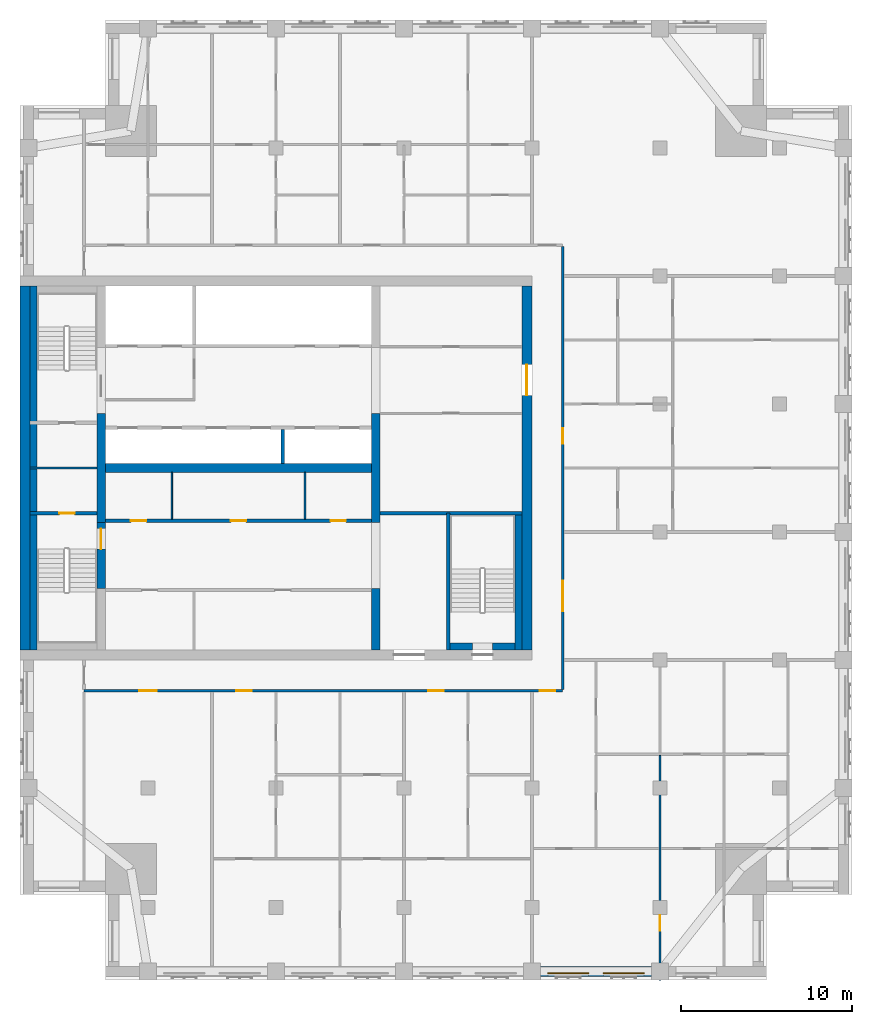
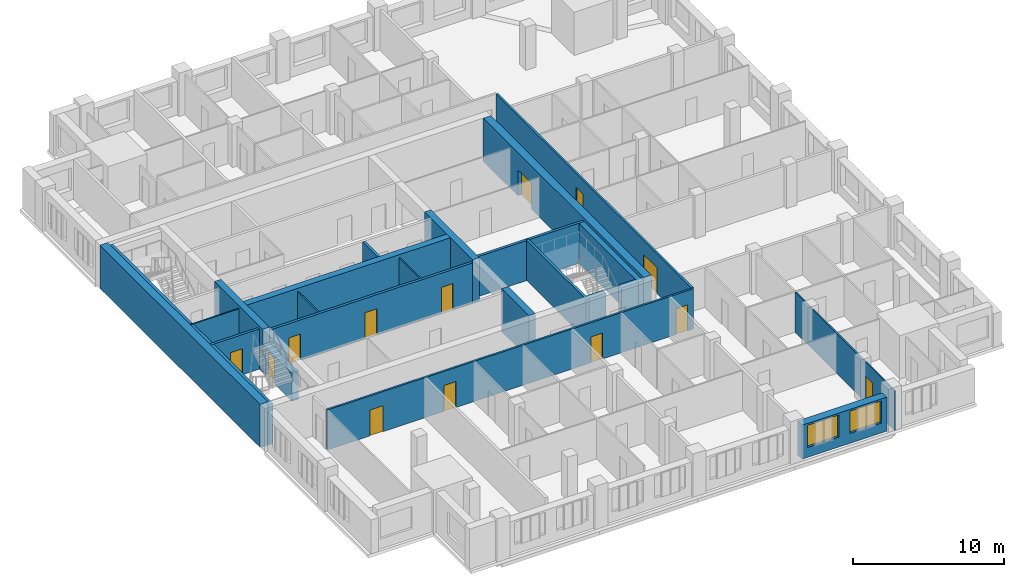
# One storey, part 4 of 11: 23 walls, 13 doors, 2 windows, 15 openings.
"""IFC4 building model written with IfcOpenShell, lengths in metres."""

import ifcopenshell
import ifcopenshell.guid

model = None  # the IFC model being written
_history = None  # IfcOwnerHistory: only IFC2X3 demands one
_inside = {}  # id of a spatial element -> (the spatial element, [elements in it])
_under = {}  # id of a project, library or spatial element -> (it, [spatial elements below it])
_declared = {}  # id of a project -> (the project, [libraries it declares])
_typed = {}  # id of a type object -> (the type object, [elements of that type])
_made_of = {}  # id of a material, layer set ... -> (it, [elements and type objects made of it])


def new_model(schema):
    """Start an empty IFC model of exactly this schema.

    Asked for "IFC4X3", IfcOpenShell would pick the latest addendum, in which some entities
    have other attributes; the version numbers below select the first issue.
    IFC2X3 requires an IfcOwnerHistory on every rooted entity: one is made here for all.
    """
    global model, _history
    if schema == "IFC4X3":
        model = ifcopenshell.file(schema_version=(4, 3, 0, 0))
    else:
        model = ifcopenshell.file(schema=schema)
    _inside.clear()
    _under.clear()
    _declared.clear()
    _typed.clear()
    _made_of.clear()
    _history = None
    if model.schema == "IFC2X3":
        org = make("IfcOrganization", Name="unknown")
        user = make(
            "IfcPersonAndOrganization",
            ThePerson=make("IfcPerson", FamilyName="unknown"),
            TheOrganization=org,
        )
        app = make(
            "IfcApplication",
            ApplicationDeveloper=org,
            Version="unknown",
            ApplicationFullName="unknown",
            ApplicationIdentifier="unknown",
        )
        _history = make(
            "IfcOwnerHistory",
            OwningUser=user,
            OwningApplication=app,
            ChangeAction="ADDED",
            CreationDate=0,
        )
    return model


def make(cls, **values):
    """One entity of the class cls with the attributes given. An attribute that is None is left unset."""
    return model.create_entity(
        cls, **{name: value for name, value in values.items() if value is not None}
    )


def rooted(cls, **values):
    """An entity with a GlobalId (a new one), such as an element, a storey or a relation."""
    return make(cls, GlobalId=ifcopenshell.guid.new(), OwnerHistory=_history, **values)


def si_unit(unit_type, name, prefix=None):
    """IfcSIUnit, for example si_unit("LENGTHUNIT", "METRE", prefix="MILLI")."""
    return make("IfcSIUnit", UnitType=unit_type, Prefix=prefix, Name=name)


def assignment(units):
    """IfcUnitAssignment: the units of a project."""
    return None if units is None else make("IfcUnitAssignment", Units=units)


def point(xyz):
    """IfcCartesianPoint."""
    return None if xyz is None else make("IfcCartesianPoint", Coordinates=xyz)


def direction(xyz):
    """IfcDirection."""
    return None if xyz is None else make("IfcDirection", DirectionRatios=xyz)


def frame(location, z_axis=None, x_axis=None):
    """IfcAxis2Placement3D, a coordinate frame: its origin and axes. An axis left out is left unset."""
    return make(
        "IfcAxis2Placement3D",
        Location=point(location),
        Axis=direction(z_axis),
        RefDirection=direction(x_axis),
    )


def frame_2d(location, x_axis=None):
    """IfcAxis2Placement2D, a coordinate frame in the plane: its origin and x axis."""
    return make(
        "IfcAxis2Placement2D", Location=point(location), RefDirection=direction(x_axis)
    )


def origin():
    """The frame at (0, 0, 0) with its axes left unset."""
    return frame((0.0, 0.0, 0.0))


def place(relative_to, where):
    """IfcLocalPlacement: puts the frame where relative to a parent placement (None: the world)."""
    return make(
        "IfcLocalPlacement", PlacementRelTo=relative_to, RelativePlacement=where
    )


def context(
    kind, dimensions, precision=None, world=None, true_north=None, identifier=None
):
    """IfcGeometricRepresentationContext, for example the 3D "Model" context."""
    return make(
        "IfcGeometricRepresentationContext",
        ContextIdentifier=identifier,
        ContextType=kind,
        CoordinateSpaceDimension=dimensions,
        Precision=precision,
        WorldCoordinateSystem=world,
        TrueNorth=true_north,
    )


def subcontext(parent, identifier, kind, view, scale=None):
    """IfcGeometricRepresentationSubContext, for example "Body" below "Model"."""
    return make(
        "IfcGeometricRepresentationSubContext",
        ContextIdentifier=identifier,
        ContextType=kind,
        ParentContext=parent,
        TargetScale=scale,
        TargetView=view,
    )


def project(units=None, contexts=None):
    """IfcProject with its units and contexts."""
    return rooted(
        "IfcProject",
        Name="project",
        RepresentationContexts=contexts,
        UnitsInContext=assignment(units),
    )


def spatial(cls, under=None, at=None, **own):
    """A site, building, storey or space (cls), placed at a placement, below another one or the project."""
    s = rooted(cls, ObjectPlacement=at, **own)
    if under is not None:
        _under.setdefault(under.id(), (under, []))[1].append(s)
    return s


def profile(cls, at=None, kind="AREA", **sizes):
    """A parametric profile (cls). Its sizes go by their IFC names, for example OverallWidth=200.0."""
    return make(cls, ProfileType=kind, Position=at, **sizes)


def rectangle(**sizes):
    """IfcRectangleProfileDef."""
    return profile("IfcRectangleProfileDef", **sizes)


def extrude(swept, where, along, depth):
    """IfcExtrudedAreaSolid: the profile swept, set in the frame where, extruded along a direction by depth."""
    return make(
        "IfcExtrudedAreaSolid",
        SweptArea=swept,
        Position=where,
        ExtrudedDirection=direction(along),
        Depth=depth,
    )


def shape(context_of_items, identifier, shape_type, items):
    """IfcShapeRepresentation: the items that make up one representation, for example the "Body"."""
    return make(
        "IfcShapeRepresentation",
        ContextOfItems=context_of_items,
        RepresentationIdentifier=identifier,
        RepresentationType=shape_type,
        Items=items,
    )


def material(Name=None, Category=None):
    """IfcMaterial."""
    return make("IfcMaterial", Name=Name, Category=Category)


def layer(
    of_material, thickness, ventilated=None, Name=None, Category=None, Priority=None
):
    """IfcMaterialLayer: one layer of a wall or slab, of a material (None: an air gap)."""
    return make(
        "IfcMaterialLayer",
        Material=of_material,
        LayerThickness=thickness,
        IsVentilated=ventilated,
        Name=Name,
        Category=Category,
        Priority=Priority,
    )


def layer_set(layers, Name=None):
    """IfcMaterialLayerSet."""
    return make("IfcMaterialLayerSet", MaterialLayers=layers, LayerSetName=Name)


def made_of(thing, what):
    """Note that an element or type object is made of a material, layer set ...; save() writes the relation."""
    if what is not None:
        _made_of.setdefault(what.id(), (what, []))[1].append(thing)
    return thing


def type_object(cls, material=None, **own):
    """A type object (cls), such as IfcWallType, which elements share."""
    return made_of(rooted(cls, **own), material)


def element(
    cls,
    number,
    at=None,
    inside=None,
    cuts=None,
    type_object=None,
    material=None,
    context=None,
    identifier="Body",
    shape_type=None,
    held_by="IfcProductDefinitionShape",
    body=None,
    shapes=None,
    **own,
):
    """One element of the class cls, such as IfcWall. Its Tag is "e" and its number.

    at: its placement. inside: the storey or other place that contains it. cuts: it is an
    opening in that element (IfcRelVoidsElement). A single representation is given by context,
    identifier, shape_type and body (its items); several are given by shapes. held_by: the class
    of the entity that holds the representations. save() writes the other relations.
    """
    e = rooted(cls, Tag="e%d" % number, ObjectPlacement=at, **own)
    if body is not None:
        shapes = [shape(context, identifier, shape_type, body)]
    if shapes is not None:
        e.Representation = make(held_by, Representations=shapes)
    if inside is not None:
        _inside.setdefault(inside.id(), (inside, []))[1].append(e)
    if cuts is not None:
        rooted(
            "IfcRelVoidsElement", RelatingBuildingElement=cuts, RelatedOpeningElement=e
        )
    if type_object is not None:
        _typed.setdefault(type_object.id(), (type_object, []))[1].append(e)
    return made_of(e, material)


def fill(opening, filler):
    """IfcRelFillsElement: the door or window that sits in an opening."""
    return rooted(
        "IfcRelFillsElement",
        RelatingOpeningElement=opening,
        RelatedBuildingElement=filler,
    )


def aggregate(whole, parts):
    """IfcRelAggregates: a whole, such as a stair, and the parts it consists of."""
    return rooted("IfcRelAggregates", RelatingObject=whole, RelatedObjects=parts)


def save(model, path):
    """Write the relations noted so far, then the file.

    IfcRelAggregates (storeys below a building ...), IfcRelContainedInSpatialStructure (elements
    in a storey), IfcRelDefinesByType, IfcRelAssociatesMaterial and IfcRelDeclares: one each for
    every whole, place, type object, material and project.
    """
    for whole, parts in _under.values():
        aggregate(whole, parts)
    for where, things in _inside.values():
        rooted(
            "IfcRelContainedInSpatialStructure",
            RelatedElements=things,
            RelatingStructure=where,
        )
    for kind, things in _typed.values():
        rooted("IfcRelDefinesByType", RelatedObjects=things, RelatingType=kind)
    for what, things in _made_of.values():
        rooted("IfcRelAssociatesMaterial", RelatedObjects=things, RelatingMaterial=what)
    for by, libraries in _declared.values():
        rooted("IfcRelDeclares", RelatingContext=by, RelatedDefinitions=libraries)
    model.write(path)


model = new_model("IFC4")

# Units and contexts
model_context = context("Model", 3, precision=1e-05, world=origin(), true_north=direction((0.0, 1.0)))
body_context = subcontext(model_context, "Body", "Model", "MODEL_VIEW")
ifc_project = project(units=[si_unit("LENGTHUNIT", "METRE"), si_unit("AREAUNIT", "SQUARE_METRE"), si_unit("VOLUMEUNIT", "CUBIC_METRE"), si_unit("PLANEANGLEUNIT", "RADIAN"), si_unit("MASSUNIT", "GRAM", prefix="KILO")], contexts=[model_context])

# Site, building, storey
site_placement = place(None, origin())
site = spatial("IfcSite", under=ifc_project, at=site_placement, CompositionType="ELEMENT")
building_placement = place(site_placement, origin())
building = spatial("IfcBuilding", under=site, at=building_placement, Name="Tamorin Gate", CompositionType="ELEMENT")
storey_placement = place(building_placement, frame((0.0, 0.0, 247.699951171875)))
storey = spatial("IfcBuildingStorey", under=building, at=storey_placement, Name="L62", CompositionType="ELEMENT", Elevation=247.699951171875)

# Wall, openings, windows
ifc_material_1 = material(Name="Precast concrete C40/50", Category="concrete")
ifc_layer_1 = layer(ifc_material_1, 0.60009765625)
ifc_layer_set_1 = layer_set([ifc_layer_1], Name="Precast concrete C40/50")
wall_type_1 = type_object("IfcWallType", Name="Board-marked concrete facade panel 600", PredefinedType="SOLIDWALL", material=ifc_layer_set_1)
wall_1_placement = place(storey_placement, frame((60.5, 41.75, 0.0), z_axis=(0.0, 0.0, 1.0), x_axis=(1.0, 0.0, 0.0)))
wall_1 = element("IfcWall", 1, at=wall_1_placement, inside=storey, type_object=wall_type_1, Name="Facade panel", PredefinedType="SOLIDWALL", context=body_context, shape_type="SweptSolid", body=[
    extrude(rectangle(XDim=6.5, YDim=0.60009765625, at=frame_2d((3.25, 0.0))), origin(), (0.0, 0.0, 1.0), 2.75),
])
opening_1_placement = place(wall_1_placement, frame((0.425048828125, 0.0, 0.800048828125)))
opening_1 = element("IfcOpeningElement", 2, at=opening_1_placement, cuts=wall_1, Name="Opening WN1", PredefinedType="OPENING", context=body_context, shape_type="SweptSolid", body=[
    extrude(rectangle(XDim=2.39990234375, YDim=1.800048828125, at=frame_2d((1.199951171875, 0.89990234375))), frame((0.0, 0.31005859375, 0.0), z_axis=(0.0, -1.0, 0.0), x_axis=(1.0, 0.0, 0.0)), (0.0, 0.0, 1.0), 0.6201171875),
])
opening_2_placement = place(wall_1_placement, frame((3.675048828125, 0.0, 0.800048828125)))
opening_2 = element("IfcOpeningElement", 3, at=opening_2_placement, cuts=wall_1, Name="Opening WN1", PredefinedType="OPENING", context=body_context, shape_type="SweptSolid", body=[
    extrude(rectangle(XDim=2.39990234375, YDim=1.800048828125, at=frame_2d((1.199951171875, 0.89990234375))), frame((0.0, 0.31005859375, 0.0), z_axis=(0.0, -1.0, 0.0), x_axis=(1.0, 0.0, 0.0)), (0.0, 0.0, 1.0), 0.6201171875),
])
ifc_material_2 = material(Name="Clear glass in aluminium frame", Category="aluminium")
window_type = type_object("IfcWindowType", Name="Deep-set window 2400x1800", PartitioningType="SINGLE_PANEL", PredefinedType="WINDOW", material=ifc_material_2)
window_1_placement = place(opening_1_placement, origin())
window_1 = element("IfcWindow", 4, at=window_1_placement, inside=storey, type_object=window_type, Name="Deep-set window", OverallHeight=1.800048828125, OverallWidth=2.39990234375, PartitioningType="SINGLE_PANEL", PredefinedType="WINDOW", context=body_context, shape_type="SweptSolid", body=[
    extrude(rectangle(XDim=2.39990234375, YDim=1.800048828125, at=frame_2d((1.199951171875, 0.89990234375))), frame((0.0, -0.070068359375, 0.0), z_axis=(0.0, -1.0, 0.0), x_axis=(1.0, 0.0, 0.0)), (0.0, 0.0, 1.0), 0.06005859375),
])
fill(opening_1, window_1)
window_2_placement = place(opening_2_placement, origin())
window_2 = element("IfcWindow", 5, at=window_2_placement, inside=storey, type_object=window_type, Name="Deep-set window", OverallHeight=1.800048828125, OverallWidth=2.39990234375, PartitioningType="SINGLE_PANEL", PredefinedType="WINDOW", context=body_context, shape_type="SweptSolid", body=[
    extrude(rectangle(XDim=2.39990234375, YDim=1.800048828125, at=frame_2d((1.199951171875, 0.89990234375))), frame((0.0, -0.070068359375, 0.0), z_axis=(0.0, -1.0, 0.0), x_axis=(1.0, 0.0, 0.0)), (0.0, 0.0, 1.0), 0.06005859375),
])
fill(opening_2, window_2)

# Wall, openings, doors
ifc_material_3 = material(Name="Gypsum board partition")
ifc_layer_2 = layer(ifc_material_3, 0.14990234375)
ifc_layer_set_2 = layer_set([ifc_layer_2], Name="Corridor wall 150")
wall_type_2 = type_object("IfcWallType", Name="Corridor wall 150", PredefinedType="PARTITIONING", material=ifc_layer_set_2)
wall_2_placement = place(storey_placement, frame((33.75, 58.199951171875, 0.0), z_axis=(0.0, 0.0, 1.0), x_axis=(1.0, 0.0, 0.0)))
wall_2 = element("IfcWall", 6, at=wall_2_placement, inside=storey, type_object=wall_type_2, Name="Corridor wall 150", PredefinedType="PARTITIONING", context=body_context, shape_type="SweptSolid", body=[
    extrude(rectangle(XDim=28.050048828125, YDim=0.14990234375, at=frame_2d((14.02490234375, 0.0))), origin(), (0.0, 0.0, 1.0), 3.25),
])
opening_3_placement = place(wall_2_placement, frame((3.25, 0.0, 0.0)))
opening_3 = element("IfcOpeningElement", 7, at=opening_3_placement, cuts=wall_2, Name="Opening DR8002", PredefinedType="OPENING", context=body_context, shape_type="SweptSolid", body=[
    extrude(rectangle(XDim=1.0, YDim=2.10009765625, at=frame_2d((0.5, 1.050048828125))), frame((0.0, 0.0849609375, 0.0), z_axis=(0.0, -1.0, 0.0), x_axis=(1.0, 0.0, 0.0)), (0.0, 0.0, 1.0), 0.169921875),
])
opening_4_placement = place(wall_2_placement, frame((8.925048828125, 0.0, 0.0)))
opening_4 = element("IfcOpeningElement", 8, at=opening_4_placement, cuts=wall_2, Name="Opening DR8003", PredefinedType="OPENING", context=body_context, shape_type="SweptSolid", body=[
    extrude(rectangle(XDim=0.89990234375, YDim=2.10009765625, at=frame_2d((0.449951171875, 1.050048828125))), frame((0.0, 0.0849609375, 0.0), z_axis=(0.0, -1.0, 0.0), x_axis=(1.0, 0.0, 0.0)), (0.0, 0.0, 1.0), 0.169921875),
])
opening_5_placement = place(wall_2_placement, frame((20.175048828125, 0.0, 0.0)))
opening_5 = element("IfcOpeningElement", 9, at=opening_5_placement, cuts=wall_2, Name="Opening DR8010", PredefinedType="OPENING", context=body_context, shape_type="SweptSolid", body=[
    extrude(rectangle(XDim=0.89990234375, YDim=2.10009765625, at=frame_2d((0.449951171875, 1.050048828125))), frame((0.0, 0.0849609375, 0.0), z_axis=(0.0, -1.0, 0.0), x_axis=(1.0, 0.0, 0.0)), (0.0, 0.0, 1.0), 0.169921875),
])
opening_6_placement = place(wall_2_placement, frame((26.699951171875, 0.0, 0.0)))
opening_6 = element("IfcOpeningElement", 10, at=opening_6_placement, cuts=wall_2, Name="Opening DR8014", PredefinedType="OPENING", context=body_context, shape_type="SweptSolid", body=[
    extrude(rectangle(XDim=0.89990234375, YDim=2.10009765625, at=frame_2d((0.449951171875, 1.050048828125))), frame((0.0, 0.0849609375, 0.0), z_axis=(0.0, -1.0, 0.0), x_axis=(1.0, 0.0, 0.0)), (0.0, 0.0, 1.0), 0.169921875),
])
ifc_material_4 = material(Name="Timber door leaf", Category="wood")
door_type_1 = type_object("IfcDoorType", Name="Door 1000 x 2100 FD30S", OperationType="NOTDEFINED", PredefinedType="DOOR", material=ifc_material_4)
door_1_placement = place(opening_3_placement, origin())
door_1 = element("IfcDoor", 11, at=door_1_placement, inside=storey, type_object=door_type_1, Name="Door DR8002", OperationType="SINGLE_SWING_RIGHT", OverallHeight=2.10009765625, OverallWidth=1.0, PredefinedType="DOOR", context=body_context, shape_type="SweptSolid", body=[
    extrude(rectangle(XDim=1.0, YDim=2.10009765625, at=frame_2d((0.5, 1.050048828125))), frame((0.0, 0.02490234375, 0.0), z_axis=(0.0, -1.0, 0.0), x_axis=(1.0, 0.0, 0.0)), (0.0, 0.0, 1.0), 0.050048828125),
])
fill(opening_3, door_1)
door_type_2 = type_object("IfcDoorType", Name="Door 900 x 2100 FD30S", OperationType="NOTDEFINED", PredefinedType="DOOR", material=ifc_material_4)
door_2_placement = place(opening_4_placement, origin())
door_2 = element("IfcDoor", 12, at=door_2_placement, inside=storey, type_object=door_type_2, Name="Door DR8003", OperationType="SINGLE_SWING_RIGHT", OverallHeight=2.10009765625, OverallWidth=0.89990234375, PredefinedType="DOOR", context=body_context, shape_type="SweptSolid", body=[
    extrude(rectangle(XDim=0.89990234375, YDim=2.10009765625, at=frame_2d((0.449951171875, 1.050048828125))), frame((0.0, 0.02490234375, 0.0), z_axis=(0.0, -1.0, 0.0), x_axis=(1.0, 0.0, 0.0)), (0.0, 0.0, 1.0), 0.050048828125),
])
fill(opening_4, door_2)
door_3_placement = place(opening_5_placement, origin())
door_3 = element("IfcDoor", 13, at=door_3_placement, inside=storey, type_object=door_type_2, Name="Door DR8010", OperationType="SINGLE_SWING_RIGHT", OverallHeight=2.10009765625, OverallWidth=0.89990234375, PredefinedType="DOOR", context=body_context, shape_type="SweptSolid", body=[
    extrude(rectangle(XDim=0.89990234375, YDim=2.10009765625, at=frame_2d((0.449951171875, 1.050048828125))), frame((0.0, 0.02490234375, 0.0), z_axis=(0.0, -1.0, 0.0), x_axis=(1.0, 0.0, 0.0)), (0.0, 0.0, 1.0), 0.050048828125),
])
fill(opening_5, door_3)
door_4_placement = place(opening_6_placement, origin())
door_4 = element("IfcDoor", 14, at=door_4_placement, inside=storey, type_object=door_type_2, Name="Door DR8014", OperationType="SINGLE_SWING_RIGHT", OverallHeight=2.10009765625, OverallWidth=0.89990234375, PredefinedType="DOOR", context=body_context, shape_type="SweptSolid", body=[
    extrude(rectangle(XDim=0.89990234375, YDim=2.10009765625, at=frame_2d((0.449951171875, 1.050048828125))), frame((0.0, 0.02490234375, 0.0), z_axis=(0.0, -1.0, 0.0), x_axis=(1.0, 0.0, 0.0)), (0.0, 0.0, 1.0), 0.050048828125),
])
fill(opening_6, door_4)

wall_3_placement = place(storey_placement, frame((61.800048828125, 58.27490234375, 0.0), z_axis=(0.0, 0.0, 1.0), x_axis=(0.0, 1.0, 0.0)))
wall_3 = element("IfcWall", 15, at=wall_3_placement, inside=storey, type_object=wall_type_2, Name="Corridor wall 150", PredefinedType="PARTITIONING", context=body_context, shape_type="SweptSolid", body=[
    extrude(rectangle(XDim=25.9501953125, YDim=0.14990234375, at=frame_2d((12.97509765625, 0.0))), origin(), (0.0, 0.0, 1.0), 3.25),
])
opening_7_placement = place(wall_3_placement, frame((4.574951171875, 0.0, 0.0)))
opening_7 = element("IfcOpeningElement", 16, at=opening_7_placement, cuts=wall_3, Name="Opening DR8045", PredefinedType="OPENING", context=body_context, shape_type="SweptSolid", body=[
    extrude(rectangle(XDim=1.800048828125, YDim=2.10009765625, at=frame_2d((0.89990234375, 1.050048828125))), frame((0.0, 0.0849609375, 0.0), z_axis=(0.0, -1.0, 0.0), x_axis=(1.0, 0.0, 0.0)), (0.0, 0.0, 1.0), 0.169921875),
])
opening_8_placement = place(wall_3_placement, frame((14.39990234375, 0.0, 0.0)))
opening_8 = element("IfcOpeningElement", 17, at=opening_8_placement, cuts=wall_3, Name="Opening DR8048", PredefinedType="OPENING", context=body_context, shape_type="SweptSolid", body=[
    extrude(rectangle(XDim=0.89990234375, YDim=2.10009765625, at=frame_2d((0.449951171875, 1.050048828125))), frame((0.0, 0.0849609375, 0.0), z_axis=(0.0, -1.0, 0.0), x_axis=(1.0, 0.0, 0.0)), (0.0, 0.0, 1.0), 0.169921875),
])
door_type_3 = type_object("IfcDoorType", Name="Door 1800 x 2100 FD30S", OperationType="DOUBLE_DOOR_SINGLE_SWING", PredefinedType="DOOR", material=ifc_material_4)
door_5_placement = place(opening_7_placement, origin())
door_5 = element("IfcDoor", 18, at=door_5_placement, inside=storey, type_object=door_type_3, Name="Door DR8045", OperationType="DOUBLE_DOOR_SINGLE_SWING", OverallHeight=2.10009765625, OverallWidth=1.800048828125, PredefinedType="DOOR", context=body_context, shape_type="SweptSolid", body=[
    extrude(rectangle(XDim=1.800048828125, YDim=2.10009765625, at=frame_2d((0.89990234375, 1.050048828125))), frame((0.0, 0.02490234375, 0.0), z_axis=(0.0, -1.0, 0.0), x_axis=(1.0, 0.0, 0.0)), (0.0, 0.0, 1.0), 0.050048828125),
])
fill(opening_7, door_5)
door_6_placement = place(opening_8_placement, origin())
door_6 = element("IfcDoor", 19, at=door_6_placement, inside=storey, type_object=door_type_2, Name="Door DR8048", OperationType="SINGLE_SWING_RIGHT", OverallHeight=2.10009765625, OverallWidth=0.89990234375, PredefinedType="DOOR", context=body_context, shape_type="SweptSolid", body=[
    extrude(rectangle(XDim=0.89990234375, YDim=2.10009765625, at=frame_2d((0.449951171875, 1.050048828125))), frame((0.0, 0.02490234375, 0.0), z_axis=(0.0, -1.0, 0.0), x_axis=(1.0, 0.0, 0.0)), (0.0, 0.0, 1.0), 0.050048828125),
])
fill(opening_8, door_6)

# Walls
ifc_material_5 = material(Name="Concrete C32/40", Category="concrete")
ifc_layer_3 = layer(ifc_material_5, 0.199951171875)
ifc_layer_set_3 = layer_set([ifc_layer_3], Name="Lift shaft wall 200 EI 120")
wall_type_3 = type_object("IfcWallType", Name="Lift shaft wall 200 EI 120", PredefinedType="SOLIDWALL", material=ifc_layer_set_3)
wall_4_placement = place(storey_placement, frame((45.39990234375, 71.5, 0.0), z_axis=(0.0, 0.0, 1.0), x_axis=(0.0, 1.0, 0.0)))
element("IfcWall", 20, at=wall_4_placement, inside=storey, type_object=wall_type_3, Name="Lift shaft wall", PredefinedType="SOLIDWALL", context=body_context, shape_type="SweptSolid", body=[
    extrude(rectangle(XDim=2.0, YDim=0.199951171875, at=frame_2d((1.0, 0.0))), origin(), (0.0, 0.0, 1.0), 3.5),
])
ifc_material_6 = material(Name="Concrete C50/60", Category="concrete")
ifc_layer_4 = layer(ifc_material_6, 0.5)
ifc_layer_set_4 = layer_set([ifc_layer_4], Name="RC core internal wall 500 C50/60")
wall_type_4 = type_object("IfcWallType", Name="RC core internal wall 500 C50/60", PredefinedType="SHEAR", material=ifc_layer_set_4)
wall_5_placement = place(storey_placement, frame((35.0, 71.25, 0.0), z_axis=(0.0, 0.0, 1.0), x_axis=(1.0, 0.0, 0.0)))
element("IfcWall", 21, at=wall_5_placement, inside=storey, type_object=wall_type_4, Name="Core spine wall L62", PredefinedType="SHEAR", context=body_context, shape_type="SweptSolid", body=[
    extrude(rectangle(XDim=15.60009765625, YDim=0.5, at=frame_2d((7.800048828125, 0.0))), origin(), (0.0, 0.0, 1.0), 3.5),
])
wall_6_placement = place(storey_placement, frame((34.75, 68.050048828125, 0.0), z_axis=(0.0, 0.0, 1.0), x_axis=(0.0, 1.0, 0.0)))
element("IfcWall", 22, at=wall_6_placement, inside=storey, type_object=wall_type_4, Name="Core cross wall L62", PredefinedType="SHEAR", context=body_context, shape_type="SweptSolid", body=[
    extrude(rectangle(XDim=6.39990234375, YDim=0.5, at=frame_2d((3.199951171875, 0.0))), origin(), (0.0, 0.0, 1.0), 3.5),
])
wall_7_placement = place(storey_placement, frame((50.85009765625, 60.60009765625, 0.0), z_axis=(0.0, 0.0, 1.0), x_axis=(0.0, 1.0, 0.0)))
element("IfcWall", 23, at=wall_7_placement, inside=storey, type_object=wall_type_4, Name="Core cross wall L62", PredefinedType="SHEAR", context=body_context, shape_type="SweptSolid", body=[
    extrude(rectangle(XDim=3.599853515625, YDim=0.5, at=frame_2d((1.7998046875, 0.0))), origin(), (0.0, 0.0, 1.0), 3.5),
])
wall_8_placement = place(storey_placement, frame((50.85009765625, 68.050048828125, 0.0), z_axis=(0.0, 0.0, 1.0), x_axis=(0.0, 1.0, 0.0)))
element("IfcWall", 24, at=wall_8_placement, inside=storey, type_object=wall_type_4, Name="Core cross wall L62", PredefinedType="SHEAR", context=body_context, shape_type="SweptSolid", body=[
    extrude(rectangle(XDim=6.39990234375, YDim=0.5, at=frame_2d((3.199951171875, 0.0))), origin(), (0.0, 0.0, 1.0), 3.5),
])
ifc_layer_5 = layer(ifc_material_6, 0.60009765625)
ifc_layer_set_5 = layer_set([ifc_layer_5], Name="RC core wall 600 C50/60")
wall_type_5 = type_object("IfcWallType", Name="RC core wall 600 C50/60", PredefinedType="SHEAR", material=ifc_layer_set_5)
wall_9_placement = place(storey_placement, frame((30.300048828125, 60.60009765625, 0.0), z_axis=(0.0, 0.0, 1.0), x_axis=(0.0, 1.0, 0.0)))
element("IfcWall", 25, at=wall_9_placement, inside=storey, type_object=wall_type_5, Name="Core wall L62", PredefinedType="SHEAR", context=body_context, shape_type="SweptSolid", body=[
    extrude(rectangle(XDim=21.2998046875, YDim=0.60009765625, at=frame_2d((10.64990234375, 0.0))), origin(), (0.0, 0.0, 1.0), 3.5),
])

# Wall, opening, door
wall_10_placement = place(storey_placement, frame((59.699951171875, 60.60009765625, 0.0), z_axis=(0.0, 0.0, 1.0), x_axis=(0.0, 1.0, 0.0)))
wall_10 = element("IfcWall", 26, at=wall_10_placement, inside=storey, type_object=wall_type_5, Name="Core wall L62", PredefinedType="SHEAR", context=body_context, shape_type="SweptSolid", body=[
    extrude(rectangle(XDim=21.2998046875, YDim=0.60009765625, at=frame_2d((10.64990234375, 0.0))), origin(), (0.0, 0.0, 1.0), 3.5),
])
opening_9_placement = place(wall_10_placement, frame((14.89990234375, 0.0, 0.0)))
opening_9 = element("IfcOpeningElement", 27, at=opening_9_placement, cuts=wall_10, Name="Opening DE1", PredefinedType="OPENING", context=body_context, shape_type="SweptSolid", body=[
    extrude(rectangle(XDim=1.800048828125, YDim=2.10009765625, at=frame_2d((0.89990234375, 1.050048828125))), frame((0.0, 0.31005859375, 0.0), z_axis=(0.0, -1.0, 0.0), x_axis=(1.0, 0.0, 0.0)), (0.0, 0.0, 1.0), 0.6201171875),
])
ifc_material_7 = material(Name="Steel fire door", Category="steel")
door_type_4 = type_object("IfcDoorType", Name="Lobby exit double door 1800 x 2100 EI 60", OperationType="DOUBLE_DOOR_SINGLE_SWING", PredefinedType="DOOR", material=ifc_material_7)
door_7_placement = place(opening_9_placement, origin())
door_7 = element("IfcDoor", 28, at=door_7_placement, inside=storey, type_object=door_type_4, Name="Lift lobby B exit door", OperationType="DOUBLE_DOOR_SINGLE_SWING", OverallHeight=2.10009765625, OverallWidth=1.800048828125, PredefinedType="DOOR", context=body_context, shape_type="SweptSolid", body=[
    extrude(rectangle(XDim=1.800048828125, YDim=2.10009765625, at=frame_2d((0.89990234375, 1.050048828125))), frame((0.0, 0.02490234375, 0.0), z_axis=(0.0, -1.0, 0.0), x_axis=(1.0, 0.0, 0.0)), (0.0, 0.0, 1.0), 0.050048828125),
])
fill(opening_9, door_7)

# Wall
ifc_material_8 = material(Name="Fire-rated gypsum board partition")
ifc_layer_6 = layer(ifc_material_8, 0.10009765625)
ifc_layer_set_6 = layer_set([ifc_layer_6], Name="Riser partition 100 EI 120")
wall_type_6 = type_object("IfcWallType", Name="Riser partition 100 EI 120", PredefinedType="PARTITIONING", material=ifc_layer_set_6)
wall_11_placement = place(storey_placement, frame((30.60009765625, 71.25, 0.0), z_axis=(0.0, 0.0, 1.0), x_axis=(1.0, 0.0, 0.0)))
element("IfcWall", 29, at=wall_11_placement, inside=storey, type_object=wall_type_6, Name="Riser partition", PredefinedType="PARTITIONING", context=body_context, shape_type="SweptSolid", body=[
    extrude(rectangle(XDim=3.89990234375, YDim=0.10009765625, at=frame_2d((1.949951171875, 0.0))), origin(), (0.0, 0.0, 1.0), 3.25),
])

# Wall, opening, door
ifc_layer_7 = layer(ifc_material_3, 0.10009765625)
ifc_layer_set_7 = layer_set([ifc_layer_7], Name="Room partition 100")
wall_type_7 = type_object("IfcWallType", Name="Room partition 100", PredefinedType="PARTITIONING", material=ifc_layer_set_7)
wall_12_placement = place(storey_placement, frame((67.5, 41.25, 0.0), z_axis=(0.0, 0.0, 1.0), x_axis=(0.0, 1.0, 0.0)))
wall_12 = element("IfcWall", 30, at=wall_12_placement, inside=storey, type_object=wall_type_7, Name="Room partition 100", PredefinedType="PARTITIONING", context=body_context, shape_type="SweptSolid", body=[
    extrude(rectangle(XDim=13.16259765625, YDim=0.10009765625, at=frame_2d((6.581298828125, 0.0))), origin(), (0.0, 0.0, 1.0), 3.25),
])
opening_10_placement = place(wall_12_placement, frame((2.89990234375, 0.0, 0.0)))
opening_10 = element("IfcOpeningElement", 31, at=opening_10_placement, cuts=wall_12, Name="Opening DR8023", PredefinedType="OPENING", context=body_context, shape_type="SweptSolid", body=[
    extrude(rectangle(XDim=0.89990234375, YDim=2.10009765625, at=frame_2d((0.449951171875, 1.050048828125))), frame((0.0, 0.06005859375, 0.0), z_axis=(0.0, -1.0, 0.0), x_axis=(1.0, 0.0, 0.0)), (0.0, 0.0, 1.0), 0.1201171875),
])
door_type_5 = type_object("IfcDoorType", Name="Door 900 x 2100", OperationType="NOTDEFINED", PredefinedType="DOOR", material=ifc_material_4)
door_8_placement = place(opening_10_placement, origin())
door_8 = element("IfcDoor", 32, at=door_8_placement, inside=storey, type_object=door_type_5, Name="Door DR8023", OperationType="SINGLE_SWING_LEFT", OverallHeight=2.10009765625, OverallWidth=0.89990234375, PredefinedType="DOOR", context=body_context, shape_type="SweptSolid", body=[
    extrude(rectangle(XDim=0.89990234375, YDim=2.10009765625, at=frame_2d((0.449951171875, 1.050048828125))), frame((0.0, 0.02490234375, 0.0), z_axis=(0.0, -1.0, 0.0), x_axis=(1.0, 0.0, 0.0)), (0.0, 0.0, 1.0), 0.050048828125),
])
fill(opening_10, door_8)

# Wall, openings, doors
ifc_layer_8 = layer(ifc_material_3, 0.199951171875)
ifc_layer_set_8 = layer_set([ifc_layer_8], Name="Service room face wall 200 EI 60")
wall_type_8 = type_object("IfcWallType", Name="Service room face wall 200 EI 60", PredefinedType="PARTITIONING", material=ifc_layer_set_8)
wall_13_placement = place(storey_placement, frame((35.0, 68.14990234375, 0.0), z_axis=(0.0, 0.0, 1.0), x_axis=(1.0, 0.0, 0.0)))
wall_13 = element("IfcWall", 33, at=wall_13_placement, inside=storey, type_object=wall_type_8, Name="Service room face wall", PredefinedType="PARTITIONING", context=body_context, shape_type="SweptSolid", body=[
    extrude(rectangle(XDim=15.60009765625, YDim=0.199951171875, at=frame_2d((7.800048828125, 0.0))), origin(), (0.0, 0.0, 1.0), 3.25),
])
opening_11_placement = place(wall_13_placement, frame((1.5, 0.0, 0.0)))
opening_11 = element("IfcOpeningElement", 34, at=opening_11_placement, cuts=wall_13, Name="Opening DK1", PredefinedType="OPENING", context=body_context, shape_type="SweptSolid", body=[
    extrude(rectangle(XDim=0.89990234375, YDim=2.10009765625, at=frame_2d((0.449951171875, 1.050048828125))), frame((0.0, 0.10986328125, 0.0), z_axis=(0.0, -1.0, 0.0), x_axis=(1.0, 0.0, 0.0)), (0.0, 0.0, 1.0), 0.219970703125),
])
opening_12_placement = place(wall_13_placement, frame((7.35009765625, 0.0, 0.0)))
opening_12 = element("IfcOpeningElement", 35, at=opening_12_placement, cuts=wall_13, Name="Opening DK1", PredefinedType="OPENING", context=body_context, shape_type="SweptSolid", body=[
    extrude(rectangle(XDim=0.89990234375, YDim=2.10009765625, at=frame_2d((0.449951171875, 1.050048828125))), frame((0.0, 0.10986328125, 0.0), z_axis=(0.0, -1.0, 0.0), x_axis=(1.0, 0.0, 0.0)), (0.0, 0.0, 1.0), 0.219970703125),
])
opening_13_placement = place(wall_13_placement, frame((13.199951171875, 0.0, 0.0)))
opening_13 = element("IfcOpeningElement", 36, at=opening_13_placement, cuts=wall_13, Name="Opening DK1", PredefinedType="OPENING", context=body_context, shape_type="SweptSolid", body=[
    extrude(rectangle(XDim=0.89990234375, YDim=2.10009765625, at=frame_2d((0.449951171875, 1.050048828125))), frame((0.0, 0.10986328125, 0.0), z_axis=(0.0, -1.0, 0.0), x_axis=(1.0, 0.0, 0.0)), (0.0, 0.0, 1.0), 0.219970703125),
])
ifc_material_9 = material(Name="Timber fire door", Category="wood")
door_type_6 = type_object("IfcDoorType", Name="Service room door 900 x 2100 EI 60", OperationType="SINGLE_SWING_LEFT", PredefinedType="DOOR", material=ifc_material_9)
door_9_placement = place(opening_11_placement, origin())
door_9 = element("IfcDoor", 37, at=door_9_placement, inside=storey, type_object=door_type_6, Name="Door Housekeeping store", OperationType="SINGLE_SWING_RIGHT", OverallHeight=2.10009765625, OverallWidth=0.89990234375, PredefinedType="DOOR", context=body_context, shape_type="SweptSolid", body=[
    extrude(rectangle(XDim=0.89990234375, YDim=2.10009765625, at=frame_2d((0.449951171875, 1.050048828125))), frame((0.0, 0.02490234375, 0.0), z_axis=(0.0, -1.0, 0.0), x_axis=(1.0, 0.0, 0.0)), (0.0, 0.0, 1.0), 0.050048828125),
])
fill(opening_11, door_9)
door_10_placement = place(opening_12_placement, origin())
door_10 = element("IfcDoor", 38, at=door_10_placement, inside=storey, type_object=door_type_6, Name="Door Electrical and IT room", OperationType="SINGLE_SWING_LEFT", OverallHeight=2.10009765625, OverallWidth=0.89990234375, PredefinedType="DOOR", context=body_context, shape_type="SweptSolid", body=[
    extrude(rectangle(XDim=0.89990234375, YDim=2.10009765625, at=frame_2d((0.449951171875, 1.050048828125))), frame((0.0, 0.02490234375, 0.0), z_axis=(0.0, -1.0, 0.0), x_axis=(1.0, 0.0, 0.0)), (0.0, 0.0, 1.0), 0.050048828125),
])
fill(opening_12, door_10)
door_11_placement = place(opening_13_placement, origin())
door_11 = element("IfcDoor", 39, at=door_11_placement, inside=storey, type_object=door_type_6, Name="Door Linen store", OperationType="SINGLE_SWING_RIGHT", OverallHeight=2.10009765625, OverallWidth=0.89990234375, PredefinedType="DOOR", context=body_context, shape_type="SweptSolid", body=[
    extrude(rectangle(XDim=0.89990234375, YDim=2.10009765625, at=frame_2d((0.449951171875, 1.050048828125))), frame((0.0, 0.02490234375, 0.0), z_axis=(0.0, -1.0, 0.0), x_axis=(1.0, 0.0, 0.0)), (0.0, 0.0, 1.0), 0.050048828125),
])
fill(opening_13, door_11)

# Walls
ifc_layer_9 = layer(ifc_material_3, 0.10009765625)
ifc_layer_set_9 = layer_set([ifc_layer_9], Name="Service room partition 100 EI 60")
wall_type_9 = type_object("IfcWallType", Name="Service room partition 100 EI 60", PredefinedType="PARTITIONING", material=ifc_layer_set_9)
for number, where, z_axis, x_axis, name in (
    (40, (38.89990234375, 68.25, 0.0), (0.0, 0.0, 1.0), (0.0, 1.0, 0.0), "Service room partition"),
    (41, (46.699951171875, 68.25, 0.0), (0.0, 0.0, 1.0), (0.0, 1.0, 0.0), "Service room partition"),
):
    element("IfcWall", number, at=place(storey_placement, frame(where, z_axis=z_axis, x_axis=x_axis)), inside=storey, type_object=wall_type_9, Name=name, PredefinedType="PARTITIONING", context=body_context, shape_type="SweptSolid", body=[
        extrude(rectangle(XDim=2.75, YDim=0.10009765625, at=frame_2d((1.375, 0.0))), origin(), (0.0, 0.0, 1.0), 3.25),
    ])

# Wall, opening, door
ifc_material_10 = material(Name="Concrete C40/50", Category="concrete")
ifc_layer_10 = layer(ifc_material_10, 0.199951171875)
ifc_layer_set_10 = layer_set([ifc_layer_10], Name="Stair enclosure wall 200 EI 120 C40/50")
wall_type_10 = type_object("IfcWallType", Name="Stair enclosure wall 200 EI 120 C40/50", PredefinedType="SOLIDWALL", material=ifc_layer_set_10)
wall_14_placement = place(storey_placement, frame((30.60009765625, 68.60009765625, 0.0), z_axis=(0.0, 0.0, 1.0), x_axis=(1.0, 0.0, 0.0)))
wall_14 = element("IfcWall", 42, at=wall_14_placement, inside=storey, type_object=wall_type_10, Name="Stair enclosure wall", PredefinedType="SOLIDWALL", context=body_context, shape_type="SweptSolid", body=[
    extrude(rectangle(XDim=3.89990234375, YDim=0.199951171875, at=frame_2d((1.949951171875, 0.0))), origin(), (0.0, 0.0, 1.0), 3.25),
])
opening_14_placement = place(wall_14_placement, frame((1.699951171875, 0.0, 0.0)))
opening_14 = element("IfcOpeningElement", 43, at=opening_14_placement, cuts=wall_14, Name="Opening DR1", PredefinedType="OPENING", context=body_context, shape_type="SweptSolid", body=[
    extrude(rectangle(XDim=0.89990234375, YDim=2.10009765625, at=frame_2d((0.449951171875, 1.050048828125))), frame((0.0, 0.10986328125, 0.0), z_axis=(0.0, -1.0, 0.0), x_axis=(1.0, 0.0, 0.0)), (0.0, 0.0, 1.0), 0.219970703125),
])
door_type_7 = type_object("IfcDoorType", Name="Riser access door 900 x 2100 EI 120", OperationType="SINGLE_SWING_LEFT", PredefinedType="DOOR", material=ifc_material_7)
door_12_placement = place(opening_14_placement, origin())
door_12 = element("IfcDoor", 44, at=door_12_placement, inside=storey, type_object=door_type_7, Name="Electrical riser door", OperationType="SINGLE_SWING_LEFT", OverallHeight=2.10009765625, OverallWidth=0.89990234375, PredefinedType="DOOR", context=body_context, shape_type="SweptSolid", body=[
    extrude(rectangle(XDim=0.89990234375, YDim=2.10009765625, at=frame_2d((0.449951171875, 1.050048828125))), frame((0.0, 0.02490234375, 0.0), z_axis=(0.0, -1.0, 0.0), x_axis=(1.0, 0.0, 0.0)), (0.0, 0.0, 1.0), 0.050048828125),
])
fill(opening_14, door_12)

# Walls
wall_15_placement = place(storey_placement, frame((55.10009765625, 60.60009765625, 0.0), z_axis=(0.0, 0.0, 1.0), x_axis=(0.0, 1.0, 0.0)))
element("IfcWall", 45, at=wall_15_placement, inside=storey, type_object=wall_type_10, Name="Stair enclosure wall", PredefinedType="SOLIDWALL", context=body_context, shape_type="SweptSolid", body=[
    extrude(rectangle(XDim=8.0, YDim=0.199951171875, at=frame_2d((4.0, 0.0))), origin(), (0.0, 0.0, 1.0), 3.25),
])
wall_16_placement = place(storey_placement, frame((51.10009765625, 68.60009765625, 0.0), z_axis=(0.0, 0.0, 1.0), x_axis=(1.0, 0.0, 0.0)))
element("IfcWall", 46, at=wall_16_placement, inside=storey, type_object=wall_type_10, Name="Stair enclosure wall", PredefinedType="SOLIDWALL", context=body_context, shape_type="SweptSolid", body=[
    extrude(rectangle(XDim=8.2998046875, YDim=0.199951171875, at=frame_2d((4.14990234375, 0.0))), origin(), (0.0, 0.0, 1.0), 3.25),
])
ifc_layer_11 = layer(ifc_material_6, 0.39990234375)
ifc_layer_set_11 = layer_set([ifc_layer_11], Name="Stair lining wall 400 EI 120 C50/60")
wall_type_11 = type_object("IfcWallType", Name="Stair lining wall 400 EI 120 C50/60", PredefinedType="SOLIDWALL", material=ifc_layer_set_11)
wall_17_placement = place(storey_placement, frame((30.800048828125, 60.60009765625, 0.0), z_axis=(0.0, 0.0, 1.0), x_axis=(0.0, 1.0, 0.0)))
element("IfcWall", 47, at=wall_17_placement, inside=storey, type_object=wall_type_11, Name="Stair lining wall", PredefinedType="SOLIDWALL", context=body_context, shape_type="SweptSolid", body=[
    extrude(rectangle(XDim=21.2998046875, YDim=0.39990234375, at=frame_2d((10.64990234375, 0.0))), origin(), (0.0, 0.0, 1.0), 3.25),
])
for number, where, z_axis, x_axis, name in (
    (48, (55.199951171875, 60.800048828125, 0.0), (0.0, 0.0, 1.0), (1.0, 0.0, 0.0), "Stair lining wall"),
    (49, (57.699951171875, 60.800048828125, 0.0), (0.0, 0.0, 1.0), (1.0, 0.0, 0.0), "Stair lining wall"),
):
    element("IfcWall", number, at=place(storey_placement, frame(where, z_axis=z_axis, x_axis=x_axis)), inside=storey, type_object=wall_type_11, Name=name, PredefinedType="SOLIDWALL", context=body_context, shape_type="SweptSolid", body=[
        extrude(rectangle(XDim=1.300048828125, YDim=0.39990234375, at=frame_2d((0.64990234375, 0.0))), origin(), (0.0, 0.0, 1.0), 3.25),
    ])
wall_18_placement = place(storey_placement, frame((59.199951171875, 60.60009765625, 0.0), z_axis=(0.0, 0.0, 1.0), x_axis=(0.0, 1.0, 0.0)))
element("IfcWall", 50, at=wall_18_placement, inside=storey, type_object=wall_type_11, Name="Stair lining wall", PredefinedType="SOLIDWALL", context=body_context, shape_type="SweptSolid", body=[
    extrude(rectangle(XDim=7.89990234375, YDim=0.39990234375, at=frame_2d((3.949951171875, 0.0))), origin(), (0.0, 0.0, 1.0), 3.25),
])

# Wall, opening, door
ifc_layer_12 = layer(ifc_material_5, 0.5)
ifc_layer_set_12 = layer_set([ifc_layer_12], Name="Stair lobby infill wall 500 EI 120")
wall_type_12 = type_object("IfcWallType", Name="Stair lobby infill wall 500 EI 120", PredefinedType="SOLIDWALL", material=ifc_layer_set_12)
wall_19_placement = place(storey_placement, frame((34.75, 64.199951171875, 0.0), z_axis=(0.0, 0.0, 1.0), x_axis=(0.0, 1.0, 0.0)))
wall_19 = element("IfcWall", 51, at=wall_19_placement, inside=storey, type_object=wall_type_12, Name="Stair lobby infill wall", PredefinedType="SOLIDWALL", context=body_context, shape_type="SweptSolid", body=[
    extrude(rectangle(XDim=3.85009765625, YDim=0.5, at=frame_2d((1.925048828125, 0.0))), origin(), (0.0, 0.0, 1.0), 2.300048828125),
])
opening_15_placement = place(wall_19_placement, frame((2.300048828125, 0.0, 0.0)))
opening_15 = element("IfcOpeningElement", 52, at=opening_15_placement, cuts=wall_19, Name="Opening DS1", PredefinedType="OPENING", context=body_context, shape_type="SweptSolid", body=[
    extrude(rectangle(XDim=1.199951171875, YDim=2.10009765625, at=frame_2d((0.60009765625, 1.050048828125))), frame((0.0, 0.260009765625, 0.0), z_axis=(0.0, -1.0, 0.0), x_axis=(1.0, 0.0, 0.0)), (0.0, 0.0, 1.0), 0.52001953125),
])
door_type_8 = type_object("IfcDoorType", Name="Stair door 1200 x 2100 EI 90", OperationType="SINGLE_SWING_LEFT", PredefinedType="DOOR", material=ifc_material_7)
door_13_placement = place(opening_15_placement, origin())
door_13 = element("IfcDoor", 53, at=door_13_placement, inside=storey, type_object=door_type_8, Name="ST1 door", OperationType="SINGLE_SWING_LEFT", OverallHeight=2.10009765625, OverallWidth=1.199951171875, PredefinedType="DOOR", context=body_context, shape_type="SweptSolid", body=[
    extrude(rectangle(XDim=1.199951171875, YDim=2.10009765625, at=frame_2d((0.60009765625, 1.050048828125))), frame((0.0, 0.02490234375, 0.0), z_axis=(0.0, -1.0, 0.0), x_axis=(1.0, 0.0, 0.0)), (0.0, 0.0, 1.0), 0.050048828125),
])
fill(opening_15, door_13)

save(model, "model.ifc")
